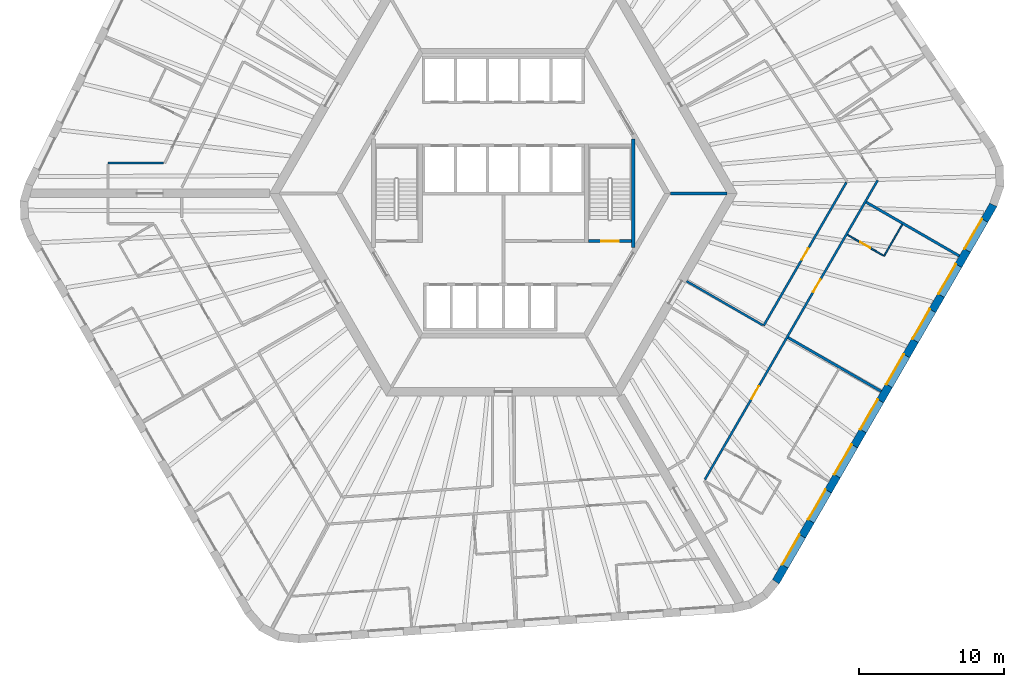
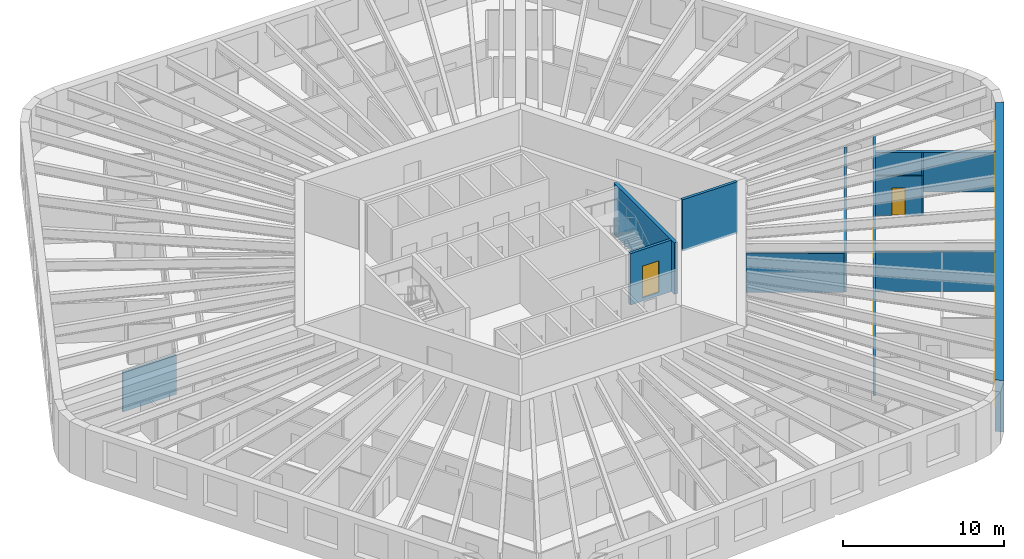
# One storey, part 6 of 12: 12 walls, 8 windows, 5 doors, 13 openings.
"""IFC4 building model written with IfcOpenShell, lengths in metres."""

from ifc_helpers import new_model, si_unit, direction, frame, frame_2d, origin, place, context, subcontext, project, spatial, polyline, rectangle, outline, extrude, material, layer, layer_set, type_object, element, fill, save


model = new_model("IFC4")

# Units and contexts
model_context = context("Model", 3, precision=1e-05, world=origin(), true_north=direction((0.0, 1.0)))
body_context = subcontext(model_context, "Body", "Model", "MODEL_VIEW")
ifc_project = project(units=[si_unit("LENGTHUNIT", "METRE"), si_unit("AREAUNIT", "SQUARE_METRE"), si_unit("VOLUMEUNIT", "CUBIC_METRE"), si_unit("PLANEANGLEUNIT", "RADIAN"), si_unit("MASSUNIT", "GRAM", prefix="KILO")], contexts=[model_context])

# Site, building, storey
site_placement = place(None, origin())
site = spatial("IfcSite", under=ifc_project, at=site_placement, CompositionType="ELEMENT")
building_placement = place(site_placement, origin())
building = spatial("IfcBuilding", under=site, at=building_placement, Name="Tarnside Tower", CompositionType="ELEMENT")
storey_placement = place(building_placement, frame((0.0, 0.0, 64.800048828125)))
storey = spatial("IfcBuildingStorey", under=building, at=storey_placement, Name="L13", CompositionType="ELEMENT", Elevation=64.800048828125)

# Wall
ifc_material_1 = material(Name="Gypsum board partition on steel studs", Category="steel")
ifc_layer_1 = layer(ifc_material_1, 0.10009765625)
ifc_layer_set_1 = layer_set([ifc_layer_1], Name="Bathroom wall 100")
wall_type_1 = type_object("IfcWallType", Name="Bathroom wall 100", PredefinedType="PARTITIONING", material=ifc_layer_set_1)
wall_1_placement = place(storey_placement, frame((27.56787109375, -2.151123046875, 0.0), z_axis=(0.0, 0.0, 1.0), x_axis=(-0.499989096993, -0.866031698547, 0.0)))
element("IfcWall", 1, at=wall_1_placement, inside=storey, type_object=wall_type_1, Name="Bathroom wall 03134", PredefinedType="PARTITIONING", context=body_context, shape_type="SweptSolid", body=[
    extrude(rectangle(XDim=2.509765625, YDim=0.10009765625, at=frame_2d((1.2548828125, 0.0))), origin(), (0.0, 0.0, 1.0), 2.98779296875),
])

# Wall, opening, door
wall_2_placement = place(storey_placement, frame((26.26953125, -4.2998046875, 0.0), z_axis=(0.0, 0.0, 1.0), x_axis=(-0.866018712932, 0.500011588718, 0.0)))
wall_2 = element("IfcWall", 2, at=wall_2_placement, inside=storey, type_object=wall_type_1, Name="Bathroom wall 03135", PredefinedType="PARTITIONING", context=body_context, shape_type="SweptSolid", body=[
    extrude(rectangle(XDim=2.875, YDim=0.10009765625, at=frame_2d((1.4375, 0.0))), origin(), (0.0, 0.0, 1.0), 2.98779296875),
])
opening_1_placement = place(wall_2_placement, frame((1.050048828125, 0.0, 0.0)))
opening_1 = element("IfcOpeningElement", 3, at=opening_1_placement, cuts=wall_2, Name="Opening D-B1", PredefinedType="OPENING", context=body_context, shape_type="SweptSolid", body=[
    extrude(rectangle(XDim=0.800048828125, YDim=2.10009765625, at=frame_2d((0.39990234375, 1.050048828125))), frame((0.0, 0.06005859375, 0.0), z_axis=(0.0, -1.0, 0.0), x_axis=(1.0, 0.0, 0.0)), (0.0, 0.0, 1.0), 0.1201171875),
])
ifc_material_2 = material(Name="Timber door leaf", Category="wood")
door_type_1 = type_object("IfcDoorType", Name="Bathroom door 800", OperationType="NOTDEFINED", PredefinedType="DOOR", material=ifc_material_2)
door_1_placement = place(opening_1_placement, origin())
door_1 = element("IfcDoor", 4, at=door_1_placement, inside=storey, type_object=door_type_1, Name="Bathroom door 03031", OperationType="SINGLE_SWING_LEFT", OverallHeight=2.10009765625, OverallWidth=0.800048828125, PredefinedType="DOOR", context=body_context, shape_type="SweptSolid", body=[
    extrude(rectangle(XDim=0.800048828125, YDim=2.10009765625, at=frame_2d((0.39990234375, 1.050048828125))), frame((0.0, 0.02490234375, 0.0), z_axis=(0.0, -1.0, 0.0), x_axis=(1.0, 0.0, 0.0)), (0.0, 0.0, 1.0), 0.050048828125),
])
fill(opening_1, door_1)

# Wall
ifc_layer_2 = layer(ifc_material_1, 0.14990234375)
ifc_layer_set_2 = layer_set([ifc_layer_2], Name="Corridor wall 150 EI 60")
wall_type_2 = type_object("IfcWallType", Name="Corridor wall 150 EI 60", PredefinedType="PARTITIONING", material=ifc_layer_set_2)
wall_3_placement = place(storey_placement, frame((-23.480712890625, 2.10009765625, 0.0), z_axis=(0.0, 0.0, 1.0), x_axis=(-1.0, 0.0, 0.0)))
element("IfcWall", 5, at=wall_3_placement, inside=storey, type_object=wall_type_2, Name="Corridor wall 03014", PredefinedType="PARTITIONING", context=body_context, shape_type="SweptSolid", body=[
    extrude(rectangle(XDim=3.839599609375, YDim=0.14990234375, at=frame_2d((1.919921875, 0.0))), origin(), (0.0, 0.0, 1.0), 2.98779296875),
])

# Wall, openings, doors
wall_4_placement = place(storey_placement, frame((13.928466796875, -19.77490234375, 0.0), z_axis=(0.0, 0.0, 1.0), x_axis=(0.50000450071, 0.866022805283, 0.0)))
wall_4 = element("IfcWall", 6, at=wall_4_placement, inside=storey, type_object=wall_type_2, Name="Corridor wall 03049", PredefinedType="PARTITIONING", context=body_context, shape_type="SweptSolid", body=[
    extrude(rectangle(XDim=23.877197265625, YDim=0.14990234375, at=frame_2d((11.9384765625, 0.0))), origin(), (0.0, 0.0, 1.0), 2.98779296875),
])
opening_2_placement = place(wall_4_placement, frame((6.44287109375, 0.0, 0.0)))
opening_2 = element("IfcOpeningElement", 7, at=opening_2_placement, cuts=wall_4, Name="Opening D-E1", PredefinedType="OPENING", context=body_context, shape_type="SweptSolid", body=[
    extrude(rectangle(XDim=1.0, YDim=2.10009765625, at=frame_2d((0.5, 1.050048828125))), frame((0.0, 0.0849609375, 0.0), z_axis=(0.0, -1.0, 0.0), x_axis=(1.0, 0.0, 0.0)), (0.0, 0.0, 1.0), 0.169921875),
])
opening_3_placement = place(wall_4_placement, frame((14.972412109375, 0.0, 0.0)))
opening_3 = element("IfcOpeningElement", 8, at=opening_3_placement, cuts=wall_4, Name="Opening D-E1", PredefinedType="OPENING", context=body_context, shape_type="SweptSolid", body=[
    extrude(rectangle(XDim=1.0, YDim=2.10009765625, at=frame_2d((0.5, 1.050048828125))), frame((0.0, 0.0849609375, 0.0), z_axis=(0.0, -1.0, 0.0), x_axis=(1.0, 0.0, 0.0)), (0.0, 0.0, 1.0), 0.169921875),
])
door_type_2 = type_object("IfcDoorType", Name="Unit entrance door 1000 FD30S", OperationType="NOTDEFINED", PredefinedType="DOOR", material=ifc_material_2)
door_2_placement = place(opening_2_placement, origin())
door_2 = element("IfcDoor", 9, at=door_2_placement, inside=storey, type_object=door_type_2, Name="Unit door 03026", OperationType="SINGLE_SWING_RIGHT", OverallHeight=2.10009765625, OverallWidth=1.0, PredefinedType="DOOR", context=body_context, shape_type="SweptSolid", body=[
    extrude(rectangle(XDim=1.0, YDim=2.10009765625, at=frame_2d((0.5, 1.050048828125))), frame((0.0, 0.02490234375, 0.0), z_axis=(0.0, -1.0, 0.0), x_axis=(1.0, 0.0, 0.0)), (0.0, 0.0, 1.0), 0.050048828125),
])
fill(opening_2, door_2)
door_3_placement = place(opening_3_placement, origin())
door_3 = element("IfcDoor", 10, at=door_3_placement, inside=storey, type_object=door_type_2, Name="Unit door 03030", OperationType="SINGLE_SWING_LEFT", OverallHeight=2.10009765625, OverallWidth=1.0, PredefinedType="DOOR", context=body_context, shape_type="SweptSolid", body=[
    extrude(rectangle(XDim=1.0, YDim=2.10009765625, at=frame_2d((0.5, 1.050048828125))), frame((0.0, 0.02490234375, 0.0), z_axis=(0.0, -1.0, 0.0), x_axis=(1.0, 0.0, 0.0)), (0.0, 0.0, 1.0), 0.050048828125),
])
fill(opening_3, door_3)

# Wall, opening, door
wall_5_placement = place(storey_placement, frame((23.704345703125, 0.757080078125, 0.0), z_axis=(0.0, 0.0, 1.0), x_axis=(-0.500010297365, -0.866019458516, 0.0)))
wall_5 = element("IfcWall", 11, at=wall_5_placement, inside=storey, type_object=wall_type_2, Name="Corridor wall 03065", PredefinedType="PARTITIONING", context=body_context, shape_type="SweptSolid", body=[
    extrude(rectangle(XDim=11.428955078125, YDim=0.14990234375, at=frame_2d((5.71435546875, 0.0))), origin(), (0.0, 0.0, 1.0), 2.98779296875),
])
opening_4_placement = place(wall_5_placement, frame((5.264404296875, 0.0, 0.0)))
opening_4 = element("IfcOpeningElement", 12, at=opening_4_placement, cuts=wall_5, Name="Opening D-S1", PredefinedType="OPENING", context=body_context, shape_type="SweptSolid", body=[
    extrude(rectangle(XDim=0.89990234375, YDim=2.10009765625, at=frame_2d((0.449951171875, 1.050048828125))), frame((0.0, 0.0849609375, 0.0), z_axis=(0.0, -1.0, 0.0), x_axis=(1.0, 0.0, 0.0)), (0.0, 0.0, 1.0), 0.169921875),
])
door_type_3 = type_object("IfcDoorType", Name="Service room door 900 FD30S", OperationType="NOTDEFINED", PredefinedType="DOOR", material=ifc_material_2)
door_4_placement = place(opening_4_placement, origin())
door_4 = element("IfcDoor", 13, at=door_4_placement, inside=storey, type_object=door_type_3, Name="Service door 03045", OperationType="SINGLE_SWING_LEFT", OverallHeight=2.10009765625, OverallWidth=0.89990234375, PredefinedType="DOOR", context=body_context, shape_type="SweptSolid", body=[
    extrude(rectangle(XDim=0.89990234375, YDim=2.10009765625, at=frame_2d((0.449951171875, 1.050048828125))), frame((0.0, 0.02490234375, 0.0), z_axis=(0.0, -1.0, 0.0), x_axis=(1.0, 0.0, 0.0)), (0.0, 0.0, 1.0), 0.050048828125),
])
fill(opening_4, door_4)

# Walls
wall_6_placement = place(storey_placement, frame((17.9248046875, -9.103271484375, 0.0), z_axis=(0.0, 0.0, 1.0), x_axis=(-0.866013586754, 0.500020467139, 0.0)))
element("IfcWall", 14, at=wall_6_placement, inside=storey, type_object=wall_type_2, Name="Corridor wall 03066", PredefinedType="PARTITIONING", context=body_context, shape_type="SweptSolid", body=[
    extrude(rectangle(XDim=6.074951171875, YDim=0.14990234375, at=frame_2d((3.03759765625, 0.0))), origin(), (0.0, 0.0, 1.0), 2.98779296875),
])
ifc_layer_3 = layer(ifc_material_1, 0.179931640625)
ifc_layer_set_3 = layer_set([ifc_layer_3], Name="Demising wall 180 EI 60")
wall_type_3 = type_object("IfcWallType", Name="Demising wall 180 EI 60", PredefinedType="PARTITIONING", material=ifc_layer_set_3)
wall_7_placement = place(storey_placement, frame((26.10986328125, -13.67626953125, 0.0), z_axis=(0.0, 0.0, 1.0), x_axis=(-0.866014745021, 0.500018461065, 0.0)))
element("IfcWall", 15, at=wall_7_placement, inside=storey, type_object=wall_type_3, Name="Demising wall 03131", PredefinedType="PARTITIONING", context=body_context, shape_type="SweptSolid", body=[
    extrude(rectangle(XDim=7.425048828125, YDim=0.179931640625, at=frame_2d((3.71240234375, 0.0))), origin(), (0.0, 0.0, 1.0), 2.98779296875),
])
wall_8_placement = place(storey_placement, frame((31.510009765625, -4.322998046875, 0.0), z_axis=(0.0, 0.0, 1.0), x_axis=(-0.866028983062, 0.499993800457, 0.0)))
element("IfcWall", 16, at=wall_8_placement, inside=storey, type_object=wall_type_3, Name="Demising wall 03136", PredefinedType="PARTITIONING", context=body_context, shape_type="SweptSolid", body=[
    extrude(rectangle(XDim=7.4248046875, YDim=0.179931640625, at=frame_2d((3.71240234375, 0.0))), origin(), (0.0, 0.0, 1.0), 2.98779296875),
])
ifc_material_3 = material(Name="Concrete C40/50", Category="concrete")
ifc_layer_4 = layer(ifc_material_3, 0.199951171875)
ifc_layer_set_4 = layer_set([ifc_layer_4], Name="Lift shaft wall 200 C40/50")
wall_type_4 = type_object("IfcWallType", Name="Lift shaft wall 200 C40/50", PredefinedType="SHEAR", material=ifc_layer_set_4)
wall_9_placement = place(storey_placement, frame((11.547119140625, 0.0, -0.150146484375), z_axis=(0.0, 0.0, 1.0), x_axis=(1.0, 0.0, 0.0)))
element("IfcWall", 17, at=wall_9_placement, inside=storey, type_object=wall_type_4, Name="L13 core partition AR0", PredefinedType="SHEAR", context=body_context, shape_type="SweptSolid", body=[
    extrude(rectangle(XDim=3.92578125, YDim=0.199951171875, at=frame_2d((1.962890625, 0.0))), origin(), (0.0, 0.0, 1.0), 3.900146484375),
])

# Wall, opening, door
wall_10_placement = place(storey_placement, frame((5.89990234375, -3.300048828125, -0.25), z_axis=(0.0, 0.0, 1.0), x_axis=(1.0, 0.0, 0.0)))
wall_10 = element("IfcWall", 18, at=wall_10_placement, inside=storey, type_object=wall_type_4, Name="L13 stair 1 enclosure cap wall s", PredefinedType="SHEAR", context=body_context, shape_type="SweptSolid", body=[
    extrude(rectangle(XDim=2.9501953125, YDim=0.199951171875, at=frame_2d((1.47509765625, 0.0))), origin(), (0.0, 0.0, 1.0), 3.89990234375),
])
opening_5_placement = place(wall_10_placement, frame((0.875, 0.0, 0.25)))
opening_5 = element("IfcOpeningElement", 19, at=opening_5_placement, cuts=wall_10, Name="Opening CD-STR", PredefinedType="OPENING", context=body_context, shape_type="SweptSolid", body=[
    extrude(rectangle(XDim=1.199951171875, YDim=2.39990234375, at=frame_2d((0.60009765625, 1.199951171875))), frame((0.0, 0.10986328125, 0.0), z_axis=(0.0, -1.0, 0.0), x_axis=(1.0, 0.0, 0.0)), (0.0, 0.0, 1.0), 0.219970703125),
])
ifc_material_4 = material(Name="Steel fire door", Category="steel")
door_type_4 = type_object("IfcDoorType", Name="Stair door FD60S 1200x2400", OperationType="NOTDEFINED", PredefinedType="DOOR", material=ifc_material_4)
door_5_placement = place(opening_5_placement, origin())
door_5 = element("IfcDoor", 20, at=door_5_placement, inside=storey, type_object=door_type_4, Name="L13 stair 1 door", OperationType="SINGLE_SWING_LEFT", OverallHeight=2.39990234375, OverallWidth=1.199951171875, PredefinedType="DOOR", context=body_context, shape_type="SweptSolid", body=[
    extrude(rectangle(XDim=1.199951171875, YDim=2.39990234375, at=frame_2d((0.60009765625, 1.199951171875))), frame((0.0, 0.02490234375, 0.0), z_axis=(0.0, -1.0, 0.0), x_axis=(1.0, 0.0, 0.0)), (0.0, 0.0, 1.0), 0.050048828125),
])
fill(opening_5, door_5)

# Wall
ifc_layer_5 = layer(ifc_material_3, 0.25)
ifc_layer_set_5 = layer_set([ifc_layer_5], Name="Stair enclosure wall 250 C40/50")
wall_type_5 = type_object("IfcWallType", Name="Stair enclosure wall 250 C40/50", PredefinedType="SHEAR", material=ifc_layer_set_5)
wall_11_placement = place(storey_placement, frame((8.97509765625, -3.7548828125, -0.25), z_axis=(0.0, 0.0, 1.0), x_axis=(0.0, 1.0, 0.0)))
element("IfcWall", 21, at=wall_11_placement, inside=storey, type_object=wall_type_5, Name="L13 stair 1 enclosure wall outer", PredefinedType="SHEAR", context=body_context, shape_type="SweptSolid", body=[
    extrude(rectangle(XDim=7.509765625, YDim=0.25, at=frame_2d((3.7548828125, 0.0))), origin(), (0.0, 0.0, 1.0), 3.89990234375),
])

# Wall, openings, windows
ifc_material_5 = material(Name="Facing brick", Category="masonry")
ifc_layer_6 = layer(ifc_material_5, 0.10205078125)
ifc_material_6 = material(Name="Concrete C60/75 precast", Category="concrete")
ifc_layer_7 = layer(ifc_material_6, 0.347900390625)
ifc_material_7 = material(Name="Mineral wool insulation")
ifc_layer_8 = layer(ifc_material_7, 0.10009765625)
ifc_layer_set_6 = layer_set([ifc_layer_6, ifc_layer_7, ifc_layer_8], Name="Tube wall 550 brick faced")
wall_type_6 = type_object("IfcWallType", Name="Tube wall 550 brick faced", PredefinedType="SOLIDWALL", material=ifc_layer_set_6)
wall_12_placement = place(storey_placement, frame((18.830322265625, -26.834716796875, -0.150146484375), z_axis=(0.0, 0.0, 1.0), x_axis=(0.500003800416, 0.866023209602, 0.0)))
wall_12 = element("IfcWall", 22, at=wall_12_placement, inside=storey, type_object=wall_type_6, Name="Tube wall L13 F5 flush 16", PredefinedType="SOLIDWALL", context=body_context, shape_type="SweptSolid", body=[
    extrude(outline(polyline([(-0.0224609375, -0.27490234375), (30.0966796875, -0.27490234375), (30.04541015625, 0.27490234375), (0.0224609375, 0.27490234375), (-0.0224609375, -0.27490234375)])), origin(), (0.0, 0.0, 1.0), 3.900146484375),
])
opening_6_placement = place(wall_12_placement, frame((1.235595703125, 0.0, 1.050048828125)))
opening_6 = element("IfcOpeningElement", 23, at=opening_6_placement, cuts=wall_12, Name="Opening WH", PredefinedType="OPENING", context=body_context, shape_type="SweptSolid", body=[
    extrude(rectangle(XDim=2.39990234375, YDim=2.39990234375, at=frame_2d((1.199951171875, 1.199951171875))), frame((0.0, 0.28515625, 0.0), z_axis=(0.0, -1.0, 0.0), x_axis=(1.0, 0.0, 0.0)), (0.0, 0.0, 1.0), 0.570068359375),
])
opening_7_placement = place(wall_12_placement, frame((4.83544921875, 0.0, 1.050048828125)))
opening_7 = element("IfcOpeningElement", 24, at=opening_7_placement, cuts=wall_12, Name="Opening WH", PredefinedType="OPENING", context=body_context, shape_type="SweptSolid", body=[
    extrude(rectangle(XDim=2.39990234375, YDim=2.39990234375, at=frame_2d((1.199951171875, 1.199951171875))), frame((0.0, 0.28515625, 0.0), z_axis=(0.0, -1.0, 0.0), x_axis=(1.0, 0.0, 0.0)), (0.0, 0.0, 1.0), 0.570068359375),
])
opening_8_placement = place(wall_12_placement, frame((8.435546875, 0.0, 1.050048828125)))
opening_8 = element("IfcOpeningElement", 25, at=opening_8_placement, cuts=wall_12, Name="Opening WH", PredefinedType="OPENING", context=body_context, shape_type="SweptSolid", body=[
    extrude(rectangle(XDim=2.39990234375, YDim=2.39990234375, at=frame_2d((1.199951171875, 1.199951171875))), frame((0.0, 0.28515625, 0.0), z_axis=(0.0, -1.0, 0.0), x_axis=(1.0, 0.0, 0.0)), (0.0, 0.0, 1.0), 0.570068359375),
])
opening_9_placement = place(wall_12_placement, frame((12.035400390625, 0.0, 1.050048828125)))
opening_9 = element("IfcOpeningElement", 26, at=opening_9_placement, cuts=wall_12, Name="Opening WH", PredefinedType="OPENING", context=body_context, shape_type="SweptSolid", body=[
    extrude(rectangle(XDim=2.39990234375, YDim=2.39990234375, at=frame_2d((1.199951171875, 1.199951171875))), frame((0.0, 0.28515625, 0.0), z_axis=(0.0, -1.0, 0.0), x_axis=(1.0, 0.0, 0.0)), (0.0, 0.0, 1.0), 0.570068359375),
])
opening_10_placement = place(wall_12_placement, frame((15.635498046875, 0.0, 1.050048828125)))
opening_10 = element("IfcOpeningElement", 27, at=opening_10_placement, cuts=wall_12, Name="Opening WH", PredefinedType="OPENING", context=body_context, shape_type="SweptSolid", body=[
    extrude(rectangle(XDim=2.39990234375, YDim=2.39990234375, at=frame_2d((1.199951171875, 1.199951171875))), frame((0.0, 0.28515625, 0.0), z_axis=(0.0, -1.0, 0.0), x_axis=(1.0, 0.0, 0.0)), (0.0, 0.0, 1.0), 0.570068359375),
])
opening_11_placement = place(wall_12_placement, frame((19.235595703125, 0.0, 1.050048828125)))
opening_11 = element("IfcOpeningElement", 28, at=opening_11_placement, cuts=wall_12, Name="Opening WH", PredefinedType="OPENING", context=body_context, shape_type="SweptSolid", body=[
    extrude(rectangle(XDim=2.39990234375, YDim=2.39990234375, at=frame_2d((1.199951171875, 1.199951171875))), frame((0.0, 0.28515625, 0.0), z_axis=(0.0, -1.0, 0.0), x_axis=(1.0, 0.0, 0.0)), (0.0, 0.0, 1.0), 0.570068359375),
])
opening_12_placement = place(wall_12_placement, frame((22.83544921875, 0.0, 1.050048828125)))
opening_12 = element("IfcOpeningElement", 29, at=opening_12_placement, cuts=wall_12, Name="Opening WH", PredefinedType="OPENING", context=body_context, shape_type="SweptSolid", body=[
    extrude(rectangle(XDim=2.39990234375, YDim=2.39990234375, at=frame_2d((1.199951171875, 1.199951171875))), frame((0.0, 0.28515625, 0.0), z_axis=(0.0, -1.0, 0.0), x_axis=(1.0, 0.0, 0.0)), (0.0, 0.0, 1.0), 0.570068359375),
])
opening_13_placement = place(wall_12_placement, frame((26.435546875, 0.0, 1.050048828125)))
opening_13 = element("IfcOpeningElement", 30, at=opening_13_placement, cuts=wall_12, Name="Opening WH", PredefinedType="OPENING", context=body_context, shape_type="SweptSolid", body=[
    extrude(rectangle(XDim=2.39990234375, YDim=2.39990234375, at=frame_2d((1.199951171875, 1.199951171875))), frame((0.0, 0.28515625, 0.0), z_axis=(0.0, -1.0, 0.0), x_axis=(1.0, 0.0, 0.0)), (0.0, 0.0, 1.0), 0.570068359375),
])
ifc_material_8 = material(Name="Aluminium-framed double glazing", Category="aluminium")
window_type = type_object("IfcWindowType", Name="Hotel window 2400 x 2400", PartitioningType="DOUBLE_PANEL_VERTICAL", PredefinedType="WINDOW", material=ifc_material_8)
window_1_placement = place(opening_6_placement, frame((0.0, 0.205078125, 0.0)))
window_1 = element("IfcWindow", 31, at=window_1_placement, inside=storey, type_object=window_type, Name="E.WN.L13.F5.00", OverallHeight=2.39990234375, OverallWidth=2.39990234375, PartitioningType="DOUBLE_PANEL_VERTICAL", PredefinedType="WINDOW", context=body_context, shape_type="SweptSolid", body=[
    extrude(rectangle(XDim=2.39990234375, YDim=2.39990234375, at=frame_2d((1.199951171875, 1.199951171875))), frame((0.0, 0.030029296875, 0.0), z_axis=(0.0, -1.0, 0.0), x_axis=(1.0, 0.0, 0.0)), (0.0, 0.0, 1.0), 0.06005859375),
])
fill(opening_6, window_1)
window_2_placement = place(opening_7_placement, frame((0.0, 0.205078125, 0.0)))
window_2 = element("IfcWindow", 32, at=window_2_placement, inside=storey, type_object=window_type, Name="E.WN.L13.F5.01", OverallHeight=2.39990234375, OverallWidth=2.39990234375, PartitioningType="DOUBLE_PANEL_VERTICAL", PredefinedType="WINDOW", context=body_context, shape_type="SweptSolid", body=[
    extrude(rectangle(XDim=2.39990234375, YDim=2.39990234375, at=frame_2d((1.199951171875, 1.199951171875))), frame((0.0, 0.030029296875, 0.0), z_axis=(0.0, -1.0, 0.0), x_axis=(1.0, 0.0, 0.0)), (0.0, 0.0, 1.0), 0.06005859375),
])
fill(opening_7, window_2)
window_3_placement = place(opening_8_placement, frame((0.0, 0.205078125, 0.0)))
window_3 = element("IfcWindow", 33, at=window_3_placement, inside=storey, type_object=window_type, Name="E.WN.L13.F5.02", OverallHeight=2.39990234375, OverallWidth=2.39990234375, PartitioningType="DOUBLE_PANEL_VERTICAL", PredefinedType="WINDOW", context=body_context, shape_type="SweptSolid", body=[
    extrude(rectangle(XDim=2.39990234375, YDim=2.39990234375, at=frame_2d((1.199951171875, 1.199951171875))), frame((0.0, 0.030029296875, 0.0), z_axis=(0.0, -1.0, 0.0), x_axis=(1.0, 0.0, 0.0)), (0.0, 0.0, 1.0), 0.06005859375),
])
fill(opening_8, window_3)
window_4_placement = place(opening_9_placement, frame((0.0, 0.205078125, 0.0)))
window_4 = element("IfcWindow", 34, at=window_4_placement, inside=storey, type_object=window_type, Name="E.WN.L13.F5.03", OverallHeight=2.39990234375, OverallWidth=2.39990234375, PartitioningType="DOUBLE_PANEL_VERTICAL", PredefinedType="WINDOW", context=body_context, shape_type="SweptSolid", body=[
    extrude(rectangle(XDim=2.39990234375, YDim=2.39990234375, at=frame_2d((1.199951171875, 1.199951171875))), frame((0.0, 0.030029296875, 0.0), z_axis=(0.0, -1.0, 0.0), x_axis=(1.0, 0.0, 0.0)), (0.0, 0.0, 1.0), 0.06005859375),
])
fill(opening_9, window_4)
window_5_placement = place(opening_10_placement, frame((0.0, 0.205078125, 0.0)))
window_5 = element("IfcWindow", 35, at=window_5_placement, inside=storey, type_object=window_type, Name="E.WN.L13.F5.04", OverallHeight=2.39990234375, OverallWidth=2.39990234375, PartitioningType="DOUBLE_PANEL_VERTICAL", PredefinedType="WINDOW", context=body_context, shape_type="SweptSolid", body=[
    extrude(rectangle(XDim=2.39990234375, YDim=2.39990234375, at=frame_2d((1.199951171875, 1.199951171875))), frame((0.0, 0.030029296875, 0.0), z_axis=(0.0, -1.0, 0.0), x_axis=(1.0, 0.0, 0.0)), (0.0, 0.0, 1.0), 0.06005859375),
])
fill(opening_10, window_5)
window_6_placement = place(opening_11_placement, frame((0.0, 0.205078125, 0.0)))
window_6 = element("IfcWindow", 36, at=window_6_placement, inside=storey, type_object=window_type, Name="E.WN.L13.F5.05", OverallHeight=2.39990234375, OverallWidth=2.39990234375, PartitioningType="DOUBLE_PANEL_VERTICAL", PredefinedType="WINDOW", context=body_context, shape_type="SweptSolid", body=[
    extrude(rectangle(XDim=2.39990234375, YDim=2.39990234375, at=frame_2d((1.199951171875, 1.199951171875))), frame((0.0, 0.030029296875, 0.0), z_axis=(0.0, -1.0, 0.0), x_axis=(1.0, 0.0, 0.0)), (0.0, 0.0, 1.0), 0.06005859375),
])
fill(opening_11, window_6)
window_7_placement = place(opening_12_placement, frame((0.0, 0.205078125, 0.0)))
window_7 = element("IfcWindow", 37, at=window_7_placement, inside=storey, type_object=window_type, Name="E.WN.L13.F5.06", OverallHeight=2.39990234375, OverallWidth=2.39990234375, PartitioningType="DOUBLE_PANEL_VERTICAL", PredefinedType="WINDOW", context=body_context, shape_type="SweptSolid", body=[
    extrude(rectangle(XDim=2.39990234375, YDim=2.39990234375, at=frame_2d((1.199951171875, 1.199951171875))), frame((0.0, 0.030029296875, 0.0), z_axis=(0.0, -1.0, 0.0), x_axis=(1.0, 0.0, 0.0)), (0.0, 0.0, 1.0), 0.06005859375),
])
fill(opening_12, window_7)
window_8_placement = place(opening_13_placement, frame((0.0, 0.205078125, 0.0)))
window_8 = element("IfcWindow", 38, at=window_8_placement, inside=storey, type_object=window_type, Name="E.WN.L13.F5.07", OverallHeight=2.39990234375, OverallWidth=2.39990234375, PartitioningType="DOUBLE_PANEL_VERTICAL", PredefinedType="WINDOW", context=body_context, shape_type="SweptSolid", body=[
    extrude(rectangle(XDim=2.39990234375, YDim=2.39990234375, at=frame_2d((1.199951171875, 1.199951171875))), frame((0.0, 0.030029296875, 0.0), z_axis=(0.0, -1.0, 0.0), x_axis=(1.0, 0.0, 0.0)), (0.0, 0.0, 1.0), 0.06005859375),
])
fill(opening_13, window_8)

save(model, "model.ifc")
